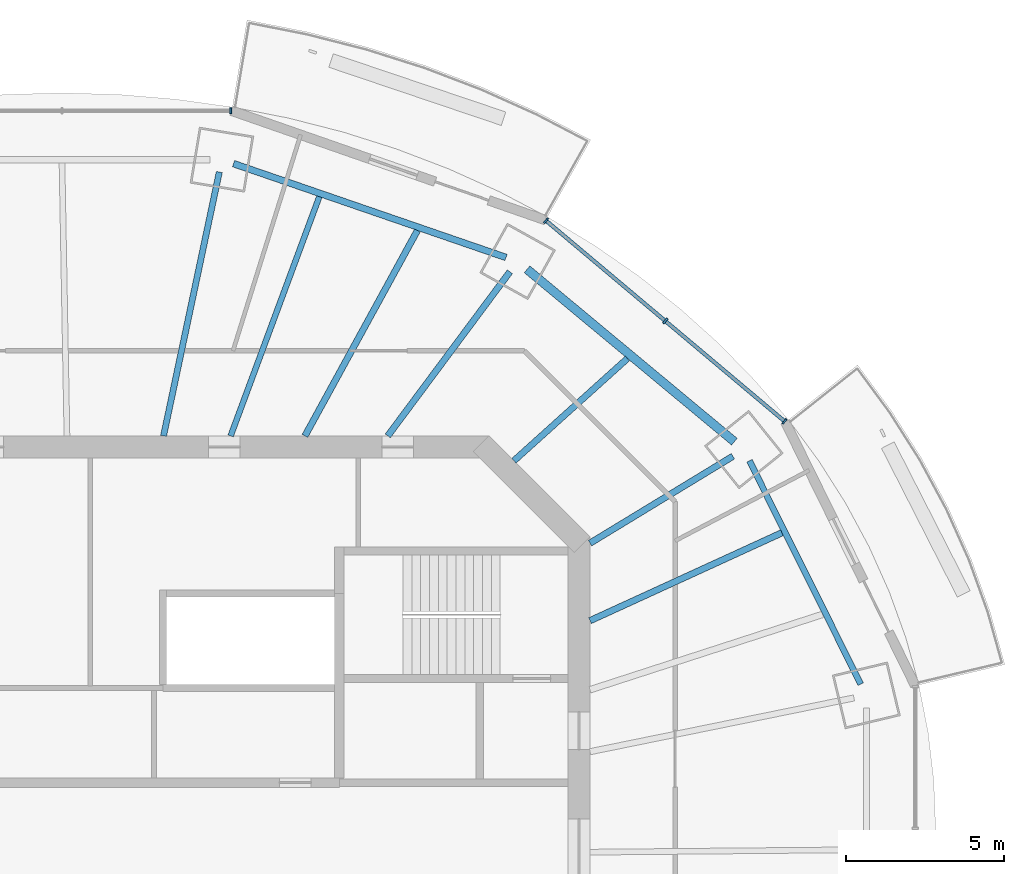
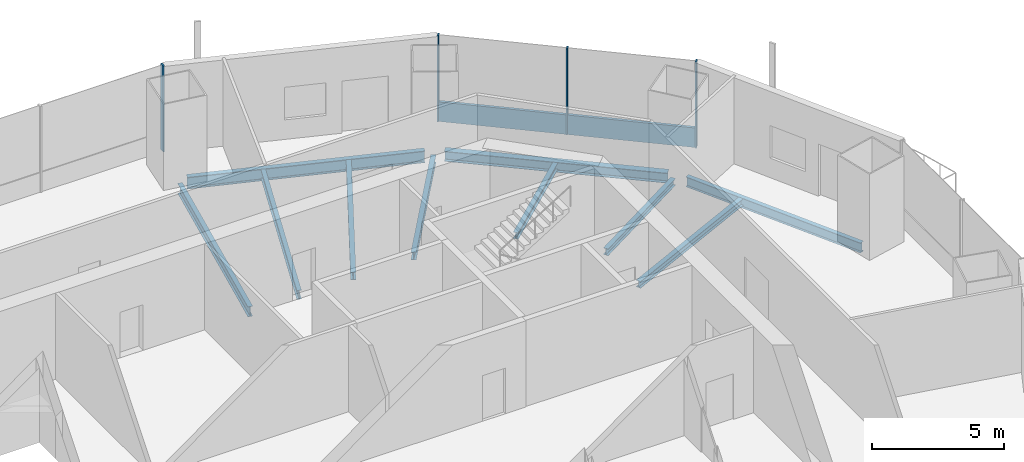
# One storey, part 6 of 16: 10 beams, 5 members, 2 elements without a shape of their own.
"""IFC4 building model written with IfcOpenShell, lengths in metres."""

from ifc_helpers import new_model, si_unit, direction, frame, origin, origin_2d, place, context, subcontext, project, spatial, rectangle, i_section, extrude, material, material_profile, profile_set, type_object, element, aggregate, save


model = new_model("IFC4")

# Units and contexts
model_context = context("Model", 3, precision=1e-05, world=origin(), true_north=direction((0.0, 1.0)))
body_context = subcontext(model_context, "Body", "Model", "MODEL_VIEW")
ifc_project = project(units=[si_unit("LENGTHUNIT", "METRE"), si_unit("AREAUNIT", "SQUARE_METRE"), si_unit("VOLUMEUNIT", "CUBIC_METRE"), si_unit("PLANEANGLEUNIT", "RADIAN"), si_unit("MASSUNIT", "GRAM", prefix="KILO")], contexts=[model_context])

# Site, building, storey
site_placement = place(None, origin())
site = spatial("IfcSite", under=ifc_project, at=site_placement, CompositionType="ELEMENT")
building_placement = place(site_placement, origin())
building = spatial("IfcBuilding", under=site, at=building_placement, Name="Marenthal Gate Tower", CompositionType="ELEMENT")
storey_placement = place(building_placement, frame((0.0, 0.0, 326.0)))
storey = spatial("IfcBuildingStorey", under=building, at=storey_placement, Name="L73", CompositionType="ELEMENT", Elevation=326.0)

# Curtain wall, members
ifc_material_1 = material(Name="Aluminium and glass", Category="aluminium")
curtain_wall_type = type_object("IfcCurtainWallType", Name="Curtain wall typical high", PredefinedType="NOTDEFINED", material=ifc_material_1)
curtain_wall_1_placement = place(storey_placement, origin())
curtain_wall_1 = element("IfcCurtainWall", 1, at=curtain_wall_1_placement, inside=storey, type_object=curtain_wall_type, Name="Curtain wall L73 bay 2", PredefinedType="NOTDEFINED")
ifc_material_2 = material(Name="Aluminium", Category="aluminium")
ifc_material_profile_1 = material_profile(ifc_material_2, rectangle(XDim=0.199951171875, YDim=0.06005859375, at=origin_2d()), Name="60x200 aluminium mullion")
ifc_profile_set_1 = profile_set([ifc_material_profile_1], Name="Aluminium")
member_type_1 = type_object("IfcMemberType", Name="Mullion 60x200 typical high", PredefinedType="MULLION", material=ifc_profile_set_1)
member_1_placement = place(storey_placement, frame((22.51904296875, 13.8125, 0.0), z_axis=(0.0, 0.0, 1.0), x_axis=(-0.643676220215, -0.76529793122, 0.0)))
member_1 = element("IfcMember", 2, at=member_1_placement, type_object=member_type_1, Name="Mullion L73 bay 2.1", PredefinedType="MULLION", context=body_context, shape_type="SweptSolid", body=[
    extrude(rectangle(XDim=0.199951171875, YDim=0.06005859375, at=origin_2d()), origin(), (0.0, 0.0, 1.0), 3.969970703125),
])
member_2_placement = place(storey_placement, frame((18.735595703125, 16.994384765625, 0.0), z_axis=(0.0, 0.0, 1.0), x_axis=(-0.643676220215, -0.76529793122, 0.0)))
member_2 = element("IfcMember", 3, at=member_2_placement, type_object=member_type_1, Name="Mullion L73 bay 2.2", PredefinedType="MULLION", context=body_context, shape_type="SweptSolid", body=[
    extrude(rectangle(XDim=0.199951171875, YDim=0.06005859375, at=origin_2d()), origin(), (0.0, 0.0, 1.0), 3.969970703125),
])
member_3_placement = place(storey_placement, frame((14.952392578125, 20.176513671875, 0.0), z_axis=(0.0, 0.0, 1.0), x_axis=(-0.643676220215, -0.76529793122, 0.0)))
member_3 = element("IfcMember", 4, at=member_3_placement, type_object=member_type_1, Name="Mullion L73 bay 2.3", PredefinedType="MULLION", context=body_context, shape_type="SweptSolid", body=[
    extrude(rectangle(XDim=0.199951171875, YDim=0.06005859375, at=origin_2d()), origin(), (0.0, 0.0, 1.0), 3.969970703125),
])

# Curtain wall, member
curtain_wall_2_placement = place(storey_placement, origin())
curtain_wall_2 = element("IfcCurtainWall", 5, at=curtain_wall_2_placement, inside=storey, type_object=curtain_wall_type, Name="Curtain wall L73 bay 4", PredefinedType="NOTDEFINED")
member_4_placement = place(storey_placement, frame((4.952880859375, 23.6611328125, 0.0), z_axis=(0.0, 0.0, 1.0), x_axis=(0.0, -1.0, 0.0)))
member_4 = element("IfcMember", 6, at=member_4_placement, type_object=member_type_1, Name="Mullion L73 bay 4.1", PredefinedType="MULLION", context=body_context, shape_type="SweptSolid", body=[
    extrude(rectangle(XDim=0.199951171875, YDim=0.06005859375, at=origin_2d()), origin(), (0.0, 0.0, 1.0), 3.969970703125),
])
aggregate(curtain_wall_2, [member_4])

# Member
ifc_material_3 = material(Name="Aluminium", Category="aluminium")
ifc_material_profile_2 = material_profile(ifc_material_3, rectangle(XDim=0.1201171875, YDim=0.89990234375, at=origin_2d()), Name="120x900 aluminium transom")
ifc_profile_set_2 = profile_set([ifc_material_profile_2], Name="Aluminium")
member_type_2 = type_object("IfcMemberType", Name="Transom 120x900 typical high", PredefinedType="USERDEFINED", material=ifc_profile_set_2)
member_5_placement = place(storey_placement, frame((22.49609375, 13.831787109375, 0.449951171875), z_axis=(-0.765303397989, 0.643669720451, 0.0), x_axis=(-0.643669720451, -0.765303397989, 0.0)))
member_5 = element("IfcMember", 7, at=member_5_placement, type_object=member_type_2, Name="Transom L73 bay 2", ObjectType="TRANSOM", PredefinedType="USERDEFINED", context=body_context, shape_type="SweptSolid", body=[
    extrude(rectangle(XDim=0.1201171875, YDim=0.89990234375, at=origin_2d()), origin(), (0.0, 0.0, 1.0), 9.8271484375),
])

aggregate(curtain_wall_1, [member_1, member_2, member_3, member_5])

# Beams
ifc_material_4 = material(Name="Steel S355", Category="steel")
ifc_material_profile_3 = material_profile(ifc_material_4, i_section(OverallWidth=0.202880859375, OverallDepth=0.302001953125, WebThickness=0.007568359375, FlangeThickness=0.01318359375, FilletRadius=0.0126953125, at=origin_2d()), Name="W310X60")
ifc_profile_set_3 = profile_set([ifc_material_profile_3], Name="Steel S355")
beam_type_1 = type_object("IfcBeamType", Name="W310X60 beam", PredefinedType="BEAM", material=ifc_profile_set_3)
beam_1_placement = place(storey_placement, frame((17.53515625, 15.804443359375, -0.3310546875), z_axis=(-0.742805488251, -0.669507286461, 0.0), x_axis=(0.669507286461, -0.742805488251, 0.0)))
element("IfcBeam", 8, at=beam_1_placement, inside=storey, type_object=beam_type_1, Name="BM-L73-19", PredefinedType="BEAM", context=body_context, shape_type="SweptSolid", body=[
    extrude(i_section(OverallWidth=0.202880859375, OverallDepth=0.302001953125, WebThickness=0.007568359375, FlangeThickness=0.01318359375, FilletRadius=0.0126953125, at=origin_2d()), origin(), (0.0, 0.0, 1.0), 4.84619140625),
])
ifc_material_5 = material(Name="Steel S355", Category="steel")
ifc_material_profile_4 = material_profile(ifc_material_5, i_section(OverallWidth=0.205078125, OverallDepth=0.31005859375, WebThickness=0.009521484375, FlangeThickness=0.016357421875, FilletRadius=0.0126953125, at=origin_2d()), Name="W310X74")
ifc_profile_set_4 = profile_set([ifc_material_profile_4], Name="Steel S355")
beam_type_2 = type_object("IfcBeamType", Name="W310X74 beam", PredefinedType="BEAM", material=ifc_profile_set_4)
beam_2_placement = place(storey_placement, frame((20.8798828125, 12.703369140625, -0.3349609375), z_axis=(-0.854315900553, -0.519754116926, 0.0), x_axis=(0.519754116926, -0.854315900553, 0.0)))
element("IfcBeam", 9, at=beam_2_placement, inside=storey, type_object=beam_type_2, Name="BM-L73-02", PredefinedType="BEAM", context=body_context, shape_type="SweptSolid", body=[
    extrude(i_section(OverallWidth=0.205078125, OverallDepth=0.31005859375, WebThickness=0.009521484375, FlangeThickness=0.016357421875, FilletRadius=0.0126953125, at=origin_2d()), origin(), (0.0, 0.0, 1.0), 5.30224609375),
])
beam_3_placement = place(storey_placement, frame((22.43603515625, 10.27685546875, -0.3349609375), z_axis=(-0.909152291701, -0.416463816549, 0.0), x_axis=(0.416463816549, -0.909152291701, 0.0)))
element("IfcBeam", 10, at=beam_3_placement, inside=storey, type_object=beam_type_2, Name="BM-L73-18", PredefinedType="BEAM", context=body_context, shape_type="SweptSolid", body=[
    extrude(i_section(OverallWidth=0.205078125, OverallDepth=0.31005859375, WebThickness=0.009521484375, FlangeThickness=0.016357421875, FilletRadius=0.0126953125, at=origin_2d()), origin(), (0.0, 0.0, 1.0), 6.694091796875),
])
ifc_material_6 = material(Name="Steel S355", Category="steel")
ifc_material_profile_5 = material_profile(ifc_material_6, i_section(OverallWidth=0.205078125, OverallDepth=0.35302734375, WebThickness=0.009521484375, FlangeThickness=0.016845703125, FilletRadius=0.014892578125, at=origin_2d()), Name="W360X79")
ifc_profile_set_5 = profile_set([ifc_material_profile_5], Name="Steel S355")
beam_type_3 = type_object("IfcBeamType", Name="W360X79 beam", PredefinedType="BEAM", material=ifc_profile_set_5)
beam_4_placement = place(storey_placement, frame((13.807861328125, 18.554931640625, -0.3564453125), z_axis=(-0.597003447578, -0.80223866996, 0.0), x_axis=(0.80223866996, -0.597003447578, 0.0)))
element("IfcBeam", 11, at=beam_4_placement, inside=storey, type_object=beam_type_3, Name="BM-L73-03", PredefinedType="BEAM", context=body_context, shape_type="SweptSolid", body=[
    extrude(i_section(OverallWidth=0.205078125, OverallDepth=0.35302734375, WebThickness=0.009521484375, FlangeThickness=0.016845703125, FilletRadius=0.014892578125, at=origin_2d()), origin(), (0.0, 0.0, 1.0), 6.48779296875),
])
beam_5_placement = place(storey_placement, frame((10.874267578125, 19.8642578125, -0.3564453125), z_axis=(-0.480199005687, -0.877159572106, 0.0), x_axis=(0.877159572106, -0.480199005687, 0.0)))
element("IfcBeam", 12, at=beam_5_placement, inside=storey, type_object=beam_type_3, Name="BM-L73-20", PredefinedType="BEAM", context=body_context, shape_type="SweptSolid", body=[
    extrude(i_section(OverallWidth=0.205078125, OverallDepth=0.35302734375, WebThickness=0.009521484375, FlangeThickness=0.016845703125, FilletRadius=0.014892578125, at=origin_2d()), origin(), (0.0, 0.0, 1.0), 7.426513671875),
])
ifc_material_7 = material(Name="Steel S355", Category="steel")
ifc_material_profile_6 = material_profile(ifc_material_7, i_section(OverallWidth=0.180908203125, OverallDepth=0.4169921875, WebThickness=0.010986328125, FlangeThickness=0.018310546875, FilletRadius=0.01025390625, at=origin_2d()), Name="W410X85")
ifc_profile_set_6 = profile_set([ifc_material_profile_6], Name="Steel S355")
beam_type_4 = type_object("IfcBeamType", Name="W410X85 beam", PredefinedType="BEAM", material=ifc_profile_set_6)
beam_6_placement = place(storey_placement, frame((7.763427734375, 20.935546875, -0.388427734375), z_axis=(-0.347701569799, -0.937605257216, 0.0), x_axis=(0.937605257216, -0.347701569799, 0.0)))
element("IfcBeam", 13, at=beam_6_placement, inside=storey, type_object=beam_type_4, Name="BM-L73-21", PredefinedType="BEAM", context=body_context, shape_type="SweptSolid", body=[
    extrude(i_section(OverallWidth=0.180908203125, OverallDepth=0.4169921875, WebThickness=0.010986328125, FlangeThickness=0.018310546875, FilletRadius=0.01025390625, at=origin_2d()), origin(), (0.0, 0.0, 1.0), 8.09033203125),
])
ifc_material_8 = material(Name="Steel S355", Category="steel")
ifc_material_profile_7 = material_profile(ifc_material_8, i_section(OverallWidth=0.279052734375, OverallDepth=0.4619140625, WebThickness=0.0107421875, FlangeThickness=0.017333984375, FilletRadius=0.010009765625, at=origin_2d()), Name="W460X113")
ifc_profile_set_7 = profile_set([ifc_material_profile_7], Name="Steel S355")
beam_type_5 = type_object("IfcBeamType", Name="W460X113 beam", PredefinedType="BEAM", material=ifc_profile_set_7)
beam_7_placement = place(storey_placement, frame((20.92626953125, 13.16650390625, -0.410888671875), z_axis=(-0.768948693019, 0.639310493817, 0.0), x_axis=(-0.639310493817, -0.768948693019, 0.0)))
element("IfcBeam", 14, at=beam_7_placement, inside=storey, type_object=beam_type_5, Name="BM-L73-42", PredefinedType="BEAM", context=body_context, shape_type="SweptSolid", body=[
    extrude(i_section(OverallWidth=0.279052734375, OverallDepth=0.4619140625, WebThickness=0.0107421875, FlangeThickness=0.017333984375, FilletRadius=0.010009765625, at=origin_2d()), origin(), (0.0, 0.0, 1.0), 8.550048828125),
])
ifc_material_9 = material(Name="Steel S355", Category="steel")
ifc_material_profile_8 = material_profile(ifc_material_9, i_section(OverallWidth=0.19091796875, OverallDepth=0.45703125, WebThickness=0.009033203125, FlangeThickness=0.014404296875, FilletRadius=0.01025390625, at=origin_2d()), Name="W460X74")
ifc_profile_set_8 = profile_set([ifc_material_profile_8], Name="Steel S355")
beam_type_6 = type_object("IfcBeamType", Name="W460X74 beam", PredefinedType="BEAM", material=ifc_profile_set_8)
beam_8_placement = place(storey_placement, frame((24.934814453125, 5.4755859375, -0.408447265625), z_axis=(-0.445942547234, 0.895061587024, 0.0), x_axis=(-0.895061587024, -0.445942547234, 0.0)))
element("IfcBeam", 15, at=beam_8_placement, inside=storey, type_object=beam_type_6, Name="BM-L73-41", PredefinedType="BEAM", context=body_context, shape_type="SweptSolid", body=[
    extrude(i_section(OverallWidth=0.19091796875, OverallDepth=0.45703125, WebThickness=0.009033203125, FlangeThickness=0.014404296875, FilletRadius=0.01025390625, at=origin_2d()), origin(), (0.0, 0.0, 1.0), 7.91650390625),
])
ifc_material_10 = material(Name="Steel S355", Category="steel")
ifc_material_profile_9 = material_profile(ifc_material_10, i_section(OverallWidth=0.193115234375, OverallDepth=0.467041015625, WebThickness=0.011474609375, FlangeThickness=0.01904296875, FilletRadius=0.010009765625, at=origin_2d()), Name="W460X97")
ifc_profile_set_9 = profile_set([ifc_material_profile_9], Name="Steel S355")
beam_type_7 = type_object("IfcBeamType", Name="W460X97 beam", PredefinedType="BEAM", material=ifc_profile_set_9)
beam_9_placement = place(storey_placement, frame((4.591796875, 21.71923828125, -0.41357421875), z_axis=(-0.206834606469, -0.978375922418, 0.0), x_axis=(0.978375922418, -0.206834606469, 0.0)))
element("IfcBeam", 16, at=beam_9_placement, inside=storey, type_object=beam_type_7, Name="BM-L73-04", PredefinedType="BEAM", context=body_context, shape_type="SweptSolid", body=[
    extrude(i_section(OverallWidth=0.193115234375, OverallDepth=0.467041015625, WebThickness=0.011474609375, FlangeThickness=0.01904296875, FilletRadius=0.010009765625, at=origin_2d()), origin(), (0.0, 0.0, 1.0), 8.55419921875),
])
ifc_material_11 = material(Name="Steel S355", Category="steel")
ifc_material_profile_10 = material_profile(ifc_material_11, i_section(OverallWidth=0.2119140625, OverallDepth=0.5439453125, WebThickness=0.01318359375, FlangeThickness=0.021240234375, FilletRadius=0.0126953125, at=origin_2d()), Name="W530X123")
ifc_profile_set_10 = profile_set([ifc_material_profile_10], Name="Steel S355")
beam_type_8 = type_object("IfcBeamType", Name="W530X123 beam", PredefinedType="BEAM", material=ifc_profile_set_10)
beam_10_placement = place(storey_placement, frame((13.68408203125, 19.0087890625, -0.451904296875), z_axis=(-0.945509417858, 0.325594749254, 0.0), x_axis=(-0.325594749254, -0.945509417858, 0.0)))
element("IfcBeam", 17, at=beam_10_placement, inside=storey, type_object=beam_type_8, Name="BM-L73-43", PredefinedType="BEAM", context=body_context, shape_type="SweptSolid", body=[
    extrude(i_section(OverallWidth=0.2119140625, OverallDepth=0.5439453125, WebThickness=0.01318359375, FlangeThickness=0.021240234375, FilletRadius=0.0126953125, at=origin_2d()), origin(), (0.0, 0.0, 1.0), 9.14111328125),
])

save(model, "model.ifc")
